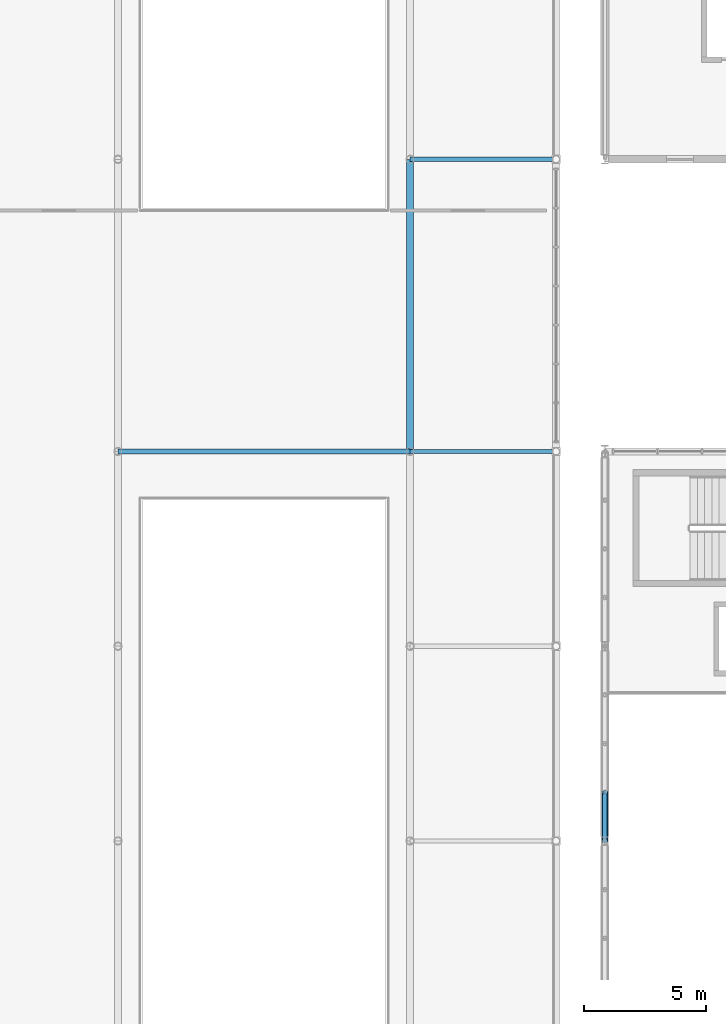
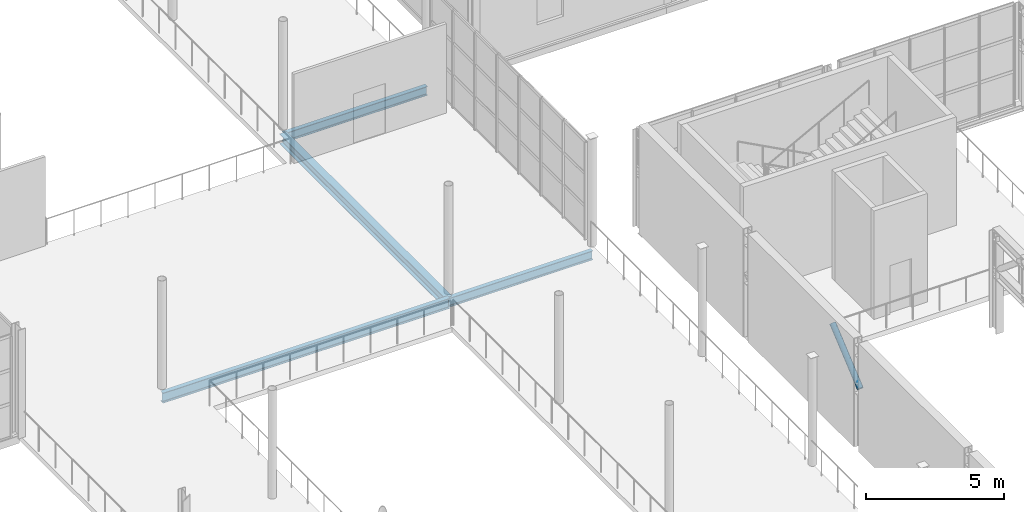
# One storey, part 48 of 143: 4 beams, 1 member.
"""IFC4 building model written with IfcOpenShell, lengths in metres."""

import ifcopenshell
import ifcopenshell.guid

model = None  # the IFC model being written
_history = None  # IfcOwnerHistory: only IFC2X3 demands one
_inside = {}  # id of a spatial element -> (the spatial element, [elements in it])
_under = {}  # id of a project, library or spatial element -> (it, [spatial elements below it])
_declared = {}  # id of a project -> (the project, [libraries it declares])
_typed = {}  # id of a type object -> (the type object, [elements of that type])
_made_of = {}  # id of a material, layer set ... -> (it, [elements and type objects made of it])


def new_model(schema):
    """Start an empty IFC model of exactly this schema.

    Asked for "IFC4X3", IfcOpenShell would pick the latest addendum, in which some entities
    have other attributes; the version numbers below select the first issue.
    IFC2X3 requires an IfcOwnerHistory on every rooted entity: one is made here for all.
    """
    global model, _history
    if schema == "IFC4X3":
        model = ifcopenshell.file(schema_version=(4, 3, 0, 0))
    else:
        model = ifcopenshell.file(schema=schema)
    _inside.clear()
    _under.clear()
    _declared.clear()
    _typed.clear()
    _made_of.clear()
    _history = None
    if model.schema == "IFC2X3":
        org = make("IfcOrganization", Name="unknown")
        user = make(
            "IfcPersonAndOrganization",
            ThePerson=make("IfcPerson", FamilyName="unknown"),
            TheOrganization=org,
        )
        app = make(
            "IfcApplication",
            ApplicationDeveloper=org,
            Version="unknown",
            ApplicationFullName="unknown",
            ApplicationIdentifier="unknown",
        )
        _history = make(
            "IfcOwnerHistory",
            OwningUser=user,
            OwningApplication=app,
            ChangeAction="ADDED",
            CreationDate=0,
        )
    return model


def make(cls, **values):
    """One entity of the class cls with the attributes given. An attribute that is None is left unset."""
    return model.create_entity(
        cls, **{name: value for name, value in values.items() if value is not None}
    )


def rooted(cls, **values):
    """An entity with a GlobalId (a new one), such as an element, a storey or a relation."""
    return make(cls, GlobalId=ifcopenshell.guid.new(), OwnerHistory=_history, **values)


def si_unit(unit_type, name, prefix=None):
    """IfcSIUnit, for example si_unit("LENGTHUNIT", "METRE", prefix="MILLI")."""
    return make("IfcSIUnit", UnitType=unit_type, Prefix=prefix, Name=name)


def derived_unit(unit_type, elements):
    """IfcDerivedUnit: a product of units, each with its exponent."""
    return make(
        "IfcDerivedUnit",
        Elements=[
            make("IfcDerivedUnitElement", Unit=unit, Exponent=power)
            for unit, power in elements
        ],
        UnitType=unit_type,
    )


def assignment(units):
    """IfcUnitAssignment: the units of a project."""
    return None if units is None else make("IfcUnitAssignment", Units=units)


def point(xyz):
    """IfcCartesianPoint."""
    return None if xyz is None else make("IfcCartesianPoint", Coordinates=xyz)


def direction(xyz):
    """IfcDirection."""
    return None if xyz is None else make("IfcDirection", DirectionRatios=xyz)


def frame(location, z_axis=None, x_axis=None):
    """IfcAxis2Placement3D, a coordinate frame: its origin and axes. An axis left out is left unset."""
    return make(
        "IfcAxis2Placement3D",
        Location=point(location),
        Axis=direction(z_axis),
        RefDirection=direction(x_axis),
    )


def frame_2d(location, x_axis=None):
    """IfcAxis2Placement2D, a coordinate frame in the plane: its origin and x axis."""
    return make(
        "IfcAxis2Placement2D", Location=point(location), RefDirection=direction(x_axis)
    )


def origin():
    """The frame at (0, 0, 0) with its axes left unset."""
    return frame((0.0, 0.0, 0.0))


def origin_2d():
    """The frame at (0, 0) in the plane with its x axis left unset."""
    return frame_2d((0.0, 0.0))


def place(relative_to, where):
    """IfcLocalPlacement: puts the frame where relative to a parent placement (None: the world)."""
    return make(
        "IfcLocalPlacement", PlacementRelTo=relative_to, RelativePlacement=where
    )


def context(
    kind, dimensions, precision=None, world=None, true_north=None, identifier=None
):
    """IfcGeometricRepresentationContext, for example the 3D "Model" context."""
    return make(
        "IfcGeometricRepresentationContext",
        ContextIdentifier=identifier,
        ContextType=kind,
        CoordinateSpaceDimension=dimensions,
        Precision=precision,
        WorldCoordinateSystem=world,
        TrueNorth=true_north,
    )


def subcontext(parent, identifier, kind, view, scale=None):
    """IfcGeometricRepresentationSubContext, for example "Body" below "Model"."""
    return make(
        "IfcGeometricRepresentationSubContext",
        ContextIdentifier=identifier,
        ContextType=kind,
        ParentContext=parent,
        TargetScale=scale,
        TargetView=view,
    )


def project(units=None, contexts=None):
    """IfcProject with its units and contexts."""
    return rooted(
        "IfcProject",
        Name="project",
        RepresentationContexts=contexts,
        UnitsInContext=assignment(units),
    )


def spatial(cls, under=None, at=None, **own):
    """A site, building, storey or space (cls), placed at a placement, below another one or the project."""
    s = rooted(cls, ObjectPlacement=at, **own)
    if under is not None:
        _under.setdefault(under.id(), (under, []))[1].append(s)
    return s


def profile(cls, at=None, kind="AREA", **sizes):
    """A parametric profile (cls). Its sizes go by their IFC names, for example OverallWidth=200.0."""
    return make(cls, ProfileType=kind, Position=at, **sizes)


def hollow_circle(**sizes):
    """IfcCircleHollowProfileDef."""
    return profile("IfcCircleHollowProfileDef", **sizes)


def i_section(**sizes):
    """IfcIShapeProfileDef."""
    return profile("IfcIShapeProfileDef", **sizes)


def extrude(swept, where, along, depth):
    """IfcExtrudedAreaSolid: the profile swept, set in the frame where, extruded along a direction by depth."""
    return make(
        "IfcExtrudedAreaSolid",
        SweptArea=swept,
        Position=where,
        ExtrudedDirection=direction(along),
        Depth=depth,
    )


def shape(context_of_items, identifier, shape_type, items):
    """IfcShapeRepresentation: the items that make up one representation, for example the "Body"."""
    return make(
        "IfcShapeRepresentation",
        ContextOfItems=context_of_items,
        RepresentationIdentifier=identifier,
        RepresentationType=shape_type,
        Items=items,
    )


def material(Name=None, Category=None):
    """IfcMaterial."""
    return make("IfcMaterial", Name=Name, Category=Category)


def material_profile(
    of_material, cross_section, Name=None, Category=None, Priority=None
):
    """IfcMaterialProfile: a cross section and its material."""
    return make(
        "IfcMaterialProfile",
        Name=Name,
        Material=of_material,
        Profile=cross_section,
        Priority=Priority,
        Category=Category,
    )


def profile_set(profiles, Name=None, composite=None):
    """IfcMaterialProfileSet."""
    return make(
        "IfcMaterialProfileSet",
        Name=Name,
        MaterialProfiles=profiles,
        CompositeProfile=composite,
    )


def made_of(thing, what):
    """Note that an element or type object is made of a material, layer set ...; save() writes the relation."""
    if what is not None:
        _made_of.setdefault(what.id(), (what, []))[1].append(thing)
    return thing


def type_object(cls, material=None, **own):
    """A type object (cls), such as IfcWallType, which elements share."""
    return made_of(rooted(cls, **own), material)


def element(
    cls,
    number,
    at=None,
    inside=None,
    cuts=None,
    type_object=None,
    material=None,
    context=None,
    identifier="Body",
    shape_type=None,
    held_by="IfcProductDefinitionShape",
    body=None,
    shapes=None,
    **own,
):
    """One element of the class cls, such as IfcWall. Its Tag is "e" and its number.

    at: its placement. inside: the storey or other place that contains it. cuts: it is an
    opening in that element (IfcRelVoidsElement). A single representation is given by context,
    identifier, shape_type and body (its items); several are given by shapes. held_by: the class
    of the entity that holds the representations. save() writes the other relations.
    """
    e = rooted(cls, Tag="e%d" % number, ObjectPlacement=at, **own)
    if body is not None:
        shapes = [shape(context, identifier, shape_type, body)]
    if shapes is not None:
        e.Representation = make(held_by, Representations=shapes)
    if inside is not None:
        _inside.setdefault(inside.id(), (inside, []))[1].append(e)
    if cuts is not None:
        rooted(
            "IfcRelVoidsElement", RelatingBuildingElement=cuts, RelatedOpeningElement=e
        )
    if type_object is not None:
        _typed.setdefault(type_object.id(), (type_object, []))[1].append(e)
    return made_of(e, material)


def aggregate(whole, parts):
    """IfcRelAggregates: a whole, such as a stair, and the parts it consists of."""
    return rooted("IfcRelAggregates", RelatingObject=whole, RelatedObjects=parts)


def save(model, path):
    """Write the relations noted so far, then the file.

    IfcRelAggregates (storeys below a building ...), IfcRelContainedInSpatialStructure (elements
    in a storey), IfcRelDefinesByType, IfcRelAssociatesMaterial and IfcRelDeclares: one each for
    every whole, place, type object, material and project.
    """
    for whole, parts in _under.values():
        aggregate(whole, parts)
    for where, things in _inside.values():
        rooted(
            "IfcRelContainedInSpatialStructure",
            RelatedElements=things,
            RelatingStructure=where,
        )
    for kind, things in _typed.values():
        rooted("IfcRelDefinesByType", RelatedObjects=things, RelatingType=kind)
    for what, things in _made_of.values():
        rooted("IfcRelAssociatesMaterial", RelatedObjects=things, RelatingMaterial=what)
    for by, libraries in _declared.values():
        rooted("IfcRelDeclares", RelatingContext=by, RelatedDefinitions=libraries)
    model.write(path)


model = new_model("IFC4")

# Units and contexts
model_context = context("Model", 3, precision=1e-05, world=origin(), true_north=direction((0.0, 1.0)))
body_context = subcontext(model_context, "Body", "Model", "MODEL_VIEW")
ifc_project = project(units=[si_unit("LENGTHUNIT", "METRE"), si_unit("AREAUNIT", "SQUARE_METRE"), si_unit("VOLUMEUNIT", "CUBIC_METRE"), si_unit("PLANEANGLEUNIT", "RADIAN"), si_unit("MASSUNIT", "GRAM", prefix="KILO"), derived_unit("THERMALTRANSMITTANCEUNIT", [(si_unit("POWERUNIT", "WATT"), 1), (si_unit("LENGTHUNIT", "METRE"), -2), (si_unit("THERMODYNAMICTEMPERATUREUNIT", "KELVIN"), -1)])], contexts=[model_context])

# Site, building, storey
site_placement = place(None, origin())
site = spatial("IfcSite", under=ifc_project, at=site_placement, CompositionType="ELEMENT")
building_placement = place(site_placement, origin())
building = spatial("IfcBuilding", under=site, at=building_placement, Name="Keldorne Ridge Multi-Sports Centre", CompositionType="ELEMENT")
storey_placement = place(building_placement, frame((0.0, 0.0, 4.800048828125)))
storey = spatial("IfcBuildingStorey", under=building, at=storey_placement, Name="L01", CompositionType="ELEMENT", Elevation=4.800048828125)

# Beams
ifc_material = material(Name="Steel S355", Category="steel")
ifc_material_profile_1 = material_profile(ifc_material, i_section(OverallWidth=0.18994140625, OverallDepth=0.449951171875, WebThickness=0.009521484375, FlangeThickness=0.0146484375, FilletRadius=0.02099609375, at=origin_2d()), Name="IPE 450")
ifc_profile_set_1 = profile_set([ifc_material_profile_1], Name="Steel S355")
beam_type_1 = type_object("IfcBeamType", Name="BM-B-03", PredefinedType="BEAM", material=ifc_profile_set_1)
beam_1_placement = place(storey_placement, frame((84.0, 54.0, -0.445068359375), z_axis=(1.0, 0.0, 0.0), x_axis=(0.0, 1.0, 0.0)))
element("IfcBeam", 1, at=beam_1_placement, inside=storey, type_object=beam_type_1, Name="L01 bridge cross beam 7", PredefinedType="BEAM", context=body_context, shape_type="SweptSolid", body=[
    extrude(i_section(OverallWidth=0.18994140625, OverallDepth=0.449951171875, WebThickness=0.009521484375, FlangeThickness=0.0146484375, FilletRadius=0.02099609375, at=origin_2d()), origin(), (0.0, 0.0, 1.0), 12.0),
])
ifc_material_profile_2 = material_profile(ifc_material, i_section(OverallWidth=0.179931640625, OverallDepth=0.39990234375, WebThickness=0.008544921875, FlangeThickness=0.013427734375, FilletRadius=0.02099609375, at=origin_2d()), Name="IPE 400")
ifc_profile_set_2 = profile_set([ifc_material_profile_2], Name="Steel S355")
beam_type_2 = type_object("IfcBeamType", Name="BM-B-04", PredefinedType="BEAM", material=ifc_profile_set_2)
for number, where, z_axis, x_axis, name in (
    (2, (96.0, 54.0, -0.420166015625), (1.0, 0.0, 0.0), (0.0, 1.0, 0.0), "L01 east gallery beam 7"),
    (3, (96.0, 66.0, -0.420166015625), (1.0, 0.0, 0.0), (0.0, 1.0, 0.0), "L01 east gallery beam 8"),
):
    element("IfcBeam", number, at=place(storey_placement, frame(where, z_axis=z_axis, x_axis=x_axis)), inside=storey, type_object=beam_type_2, Name=name, PredefinedType="BEAM", context=body_context, shape_type="SweptSolid", body=[
        extrude(i_section(OverallWidth=0.179931640625, OverallDepth=0.39990234375, WebThickness=0.008544921875, FlangeThickness=0.013427734375, FilletRadius=0.02099609375, at=origin_2d()), origin(), (0.0, 0.0, 1.0), 6.0),
    ])
ifc_material_profile_3 = material_profile(ifc_material, i_section(OverallWidth=0.300048828125, OverallDepth=0.449951171875, WebThickness=0.013916015625, FlangeThickness=0.02587890625, FilletRadius=0.027099609375, at=origin_2d()), Name="HEB 450")
ifc_profile_set_3 = profile_set([ifc_material_profile_3], Name="Steel S355")
beam_type_3 = type_object("IfcBeamType", Name="BM-B-11", PredefinedType="BEAM", material=ifc_profile_set_3)
beam_2_placement = place(storey_placement, frame((96.0, 54.0, -0.445068359375), z_axis=(0.0, 1.0, 0.0), x_axis=(-1.0, 0.0, 0.0)))
element("IfcBeam", 4, at=beam_2_placement, inside=storey, type_object=beam_type_3, Name="L01 passage girder G14.7", PredefinedType="BEAM", context=body_context, shape_type="SweptSolid", body=[
    extrude(i_section(OverallWidth=0.300048828125, OverallDepth=0.449951171875, WebThickness=0.013916015625, FlangeThickness=0.02587890625, FilletRadius=0.027099609375, at=origin_2d()), origin(), (0.0, 0.0, 1.0), 12.0),
])

# Member
ifc_material_profile_4 = material_profile(ifc_material, hollow_circle(Radius=0.122314453125, WallThickness=0.012451171875, at=origin_2d()), Name="CHS 244.5x12.5")
ifc_profile_set_4 = profile_set([ifc_material_profile_4], Name="Steel S355")
member_type = type_object("IfcMemberType", Name="MEM-TD-02", PredefinedType="BRACE", material=ifc_profile_set_4)
member_placement = place(storey_placement, frame((104.0, 38.0, 2.6298828125), z_axis=(0.0, 0.765671721121, 0.643231541108), x_axis=(-1.0, 0.0, 0.0)))
element("IfcMember", 5, at=member_placement, inside=storey, type_object=member_type, Name="Stacked Courts Warren TRUSS WT-L02-01 diagonal 17", PredefinedType="BRACE", context=body_context, shape_type="SweptSolid", body=[
    extrude(hollow_circle(Radius=0.122314453125, WallThickness=0.012451171875, at=origin_2d()), origin(), (0.0, 0.0, 1.0), 2.612060546875),
])

save(model, "model.ifc")
